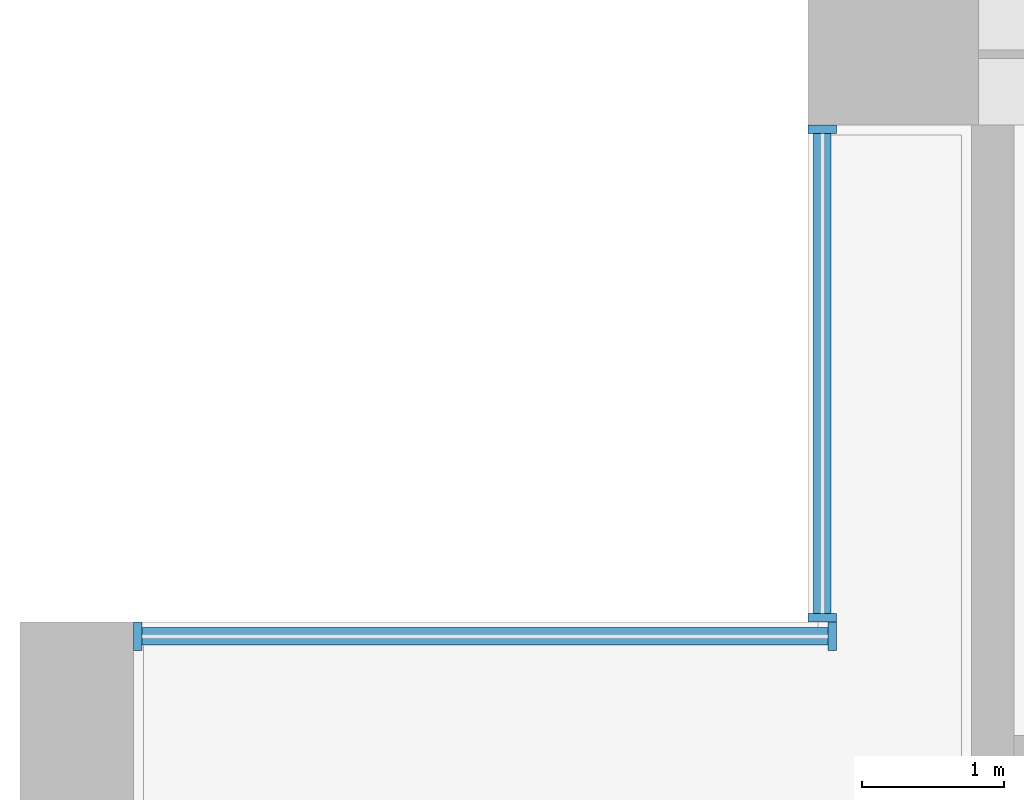
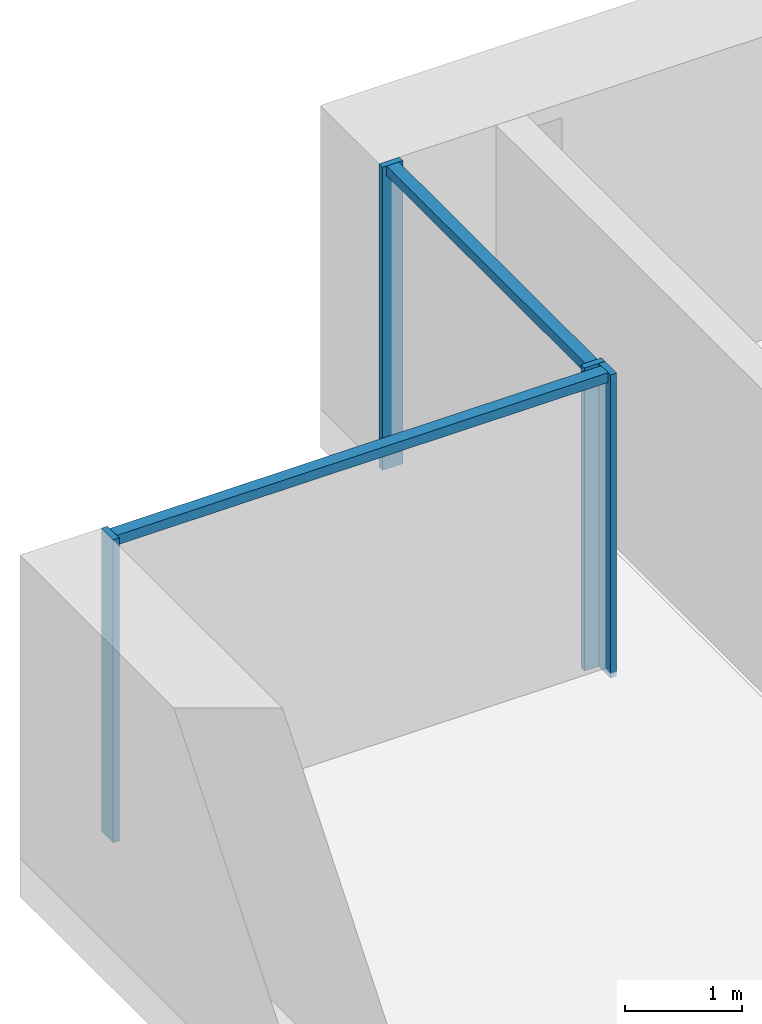
# One storey, part 4 of 18: 6 members, 2 elements without a shape of their own.
"""IFC4 building model written with IfcOpenShell, lengths in metres."""

from ifc_helpers import new_model, si_unit, direction, frame, origin, origin_2d, place, context, subcontext, project, spatial, rectangle, extrude, material, material_profile, profile_set, type_object, element, aggregate, save


model = new_model("IFC4")

# Units and contexts
model_context = context("Model", 3, precision=1e-05, world=origin(), true_north=direction((0.0, 1.0)))
body_context = subcontext(model_context, "Body", "Model", "MODEL_VIEW")
ifc_project = project(units=[si_unit("LENGTHUNIT", "METRE"), si_unit("AREAUNIT", "SQUARE_METRE"), si_unit("VOLUMEUNIT", "CUBIC_METRE"), si_unit("PLANEANGLEUNIT", "RADIAN"), si_unit("MASSUNIT", "GRAM", prefix="KILO")], contexts=[model_context])

# Site, building, storey
site_placement = place(None, origin())
site = spatial("IfcSite", under=ifc_project, at=site_placement, CompositionType="ELEMENT")
building_placement = place(site_placement, origin())
building = spatial("IfcBuilding", under=site, at=building_placement, Name="Calvaro Tower", CompositionType="ELEMENT")
storey_placement = place(building_placement, frame((0.0, 0.0, 86.25)))
storey = spatial("IfcBuildingStorey", under=building, at=storey_placement, Name="L21", CompositionType="ELEMENT", Elevation=86.25)

# Curtain wall, members
ifc_material_1 = material(Name="Anodised aluminium", Category="aluminium")
curtain_wall_type = type_object("IfcCurtainWallType", Name="Office curtain wall, lower zone", PredefinedType="NOTDEFINED", material=ifc_material_1)
curtain_wall_1_placement = place(storey_placement, origin())
curtain_wall_1 = element("IfcCurtainWall", 1, at=curtain_wall_1_placement, inside=storey, type_object=curtain_wall_type, Name="CW1 corner curtain wall", PredefinedType="NOTDEFINED")
ifc_material_2 = material(Name="Anodised aluminium", Category="aluminium")
ifc_material_profile_1 = material_profile(ifc_material_2, rectangle(XDim=0.199951171875, YDim=0.06005859375, at=origin_2d()), Name="Mullion S1 60 x 200")
ifc_profile_set_1 = profile_set([ifc_material_profile_1], Name="Anodised aluminium")
member_type_1 = type_object("IfcMemberType", Name="Mullion S1 60 x 200", PredefinedType="MULLION", material=ifc_profile_set_1)
member_1_placement = place(storey_placement, frame((5.64990234375, 41.530029296875, 0.0), z_axis=(0.0, 0.0, 1.0), x_axis=(-1.0, 0.0, 0.0)))
member_1 = element("IfcMember", 2, at=member_1_placement, type_object=member_type_1, Name="CW1 mullion 1", PredefinedType="MULLION", context=body_context, shape_type="SweptSolid", body=[
    extrude(rectangle(XDim=0.199951171875, YDim=0.06005859375, at=origin_2d()), origin(), (0.0, 0.0, 1.0), 3.14990234375),
])
member_2_placement = place(storey_placement, frame((5.64990234375, 44.969970703125, 0.0), z_axis=(0.0, 0.0, 1.0), x_axis=(-1.0, 0.0, 0.0)))
member_2 = element("IfcMember", 3, at=member_2_placement, type_object=member_type_1, Name="CW1 mullion 2", PredefinedType="MULLION", context=body_context, shape_type="SweptSolid", body=[
    extrude(rectangle(XDim=0.199951171875, YDim=0.06005859375, at=origin_2d()), origin(), (0.0, 0.0, 1.0), 3.14990234375),
])

curtain_wall_2_placement = place(storey_placement, origin())
curtain_wall_2 = element("IfcCurtainWall", 4, at=curtain_wall_2_placement, inside=storey, type_object=curtain_wall_type, Name="CW1 corner curtain wall", PredefinedType="NOTDEFINED")
member_3_placement = place(storey_placement, frame((0.830078125, 41.39990234375, 0.0), z_axis=(0.0, 0.0, 1.0), x_axis=(0.0, 1.0, 0.0)))
member_3 = element("IfcMember", 5, at=member_3_placement, type_object=member_type_1, Name="CW1 mullion 1", PredefinedType="MULLION", context=body_context, shape_type="SweptSolid", body=[
    extrude(rectangle(XDim=0.199951171875, YDim=0.06005859375, at=origin_2d()), origin(), (0.0, 0.0, 1.0), 3.14990234375),
])
member_4_placement = place(storey_placement, frame((5.719970703125, 41.39990234375, 0.0), z_axis=(0.0, 0.0, 1.0), x_axis=(0.0, 1.0, 0.0)))
member_4 = element("IfcMember", 6, at=member_4_placement, type_object=member_type_1, Name="CW1 mullion 2", PredefinedType="MULLION", context=body_context, shape_type="SweptSolid", body=[
    extrude(rectangle(XDim=0.199951171875, YDim=0.06005859375, at=origin_2d()), origin(), (0.0, 0.0, 1.0), 3.14990234375),
])

# Member
ifc_material_3 = material(Name="Anodised aluminium", Category="aluminium")
ifc_material_profile_2 = material_profile(ifc_material_3, rectangle(XDim=0.1201171875, YDim=0.10009765625, at=origin_2d()), Name="Transom S1 100 x 120")
ifc_profile_set_2 = profile_set([ifc_material_profile_2], Name="Anodised aluminium")
member_type_2 = type_object("IfcMemberType", Name="Transom S1 100 x 120", PredefinedType="USERDEFINED", material=ifc_profile_set_2)
member_5_placement = place(storey_placement, frame((5.64990234375, 41.56005859375, 3.10009765625), z_axis=(0.0, 1.0, 0.0), x_axis=(-1.0, 0.0, 0.0)))
member_5 = element("IfcMember", 7, at=member_5_placement, type_object=member_type_2, Name="CW1 transom 1.1", ObjectType="TRANSOM", PredefinedType="USERDEFINED", context=body_context, shape_type="SweptSolid", body=[
    extrude(rectangle(XDim=0.1201171875, YDim=0.10009765625, at=origin_2d()), origin(), (0.0, 0.0, 1.0), 3.3798828125),
])

aggregate(curtain_wall_1, [member_1, member_2, member_5])

member_6_placement = place(storey_placement, frame((0.860107421875, 41.39990234375, 3.10009765625), z_axis=(1.0, 0.0, 0.0), x_axis=(0.0, 1.0, 0.0)))
member_6 = element("IfcMember", 8, at=member_6_placement, type_object=member_type_2, Name="CW1 transom 1.1", ObjectType="TRANSOM", PredefinedType="USERDEFINED", context=body_context, shape_type="SweptSolid", body=[
    extrude(rectangle(XDim=0.1201171875, YDim=0.10009765625, at=origin_2d()), origin(), (0.0, 0.0, 1.0), 4.829833984375),
])

aggregate(curtain_wall_2, [member_3, member_4, member_6])

save(model, "model.ifc")
